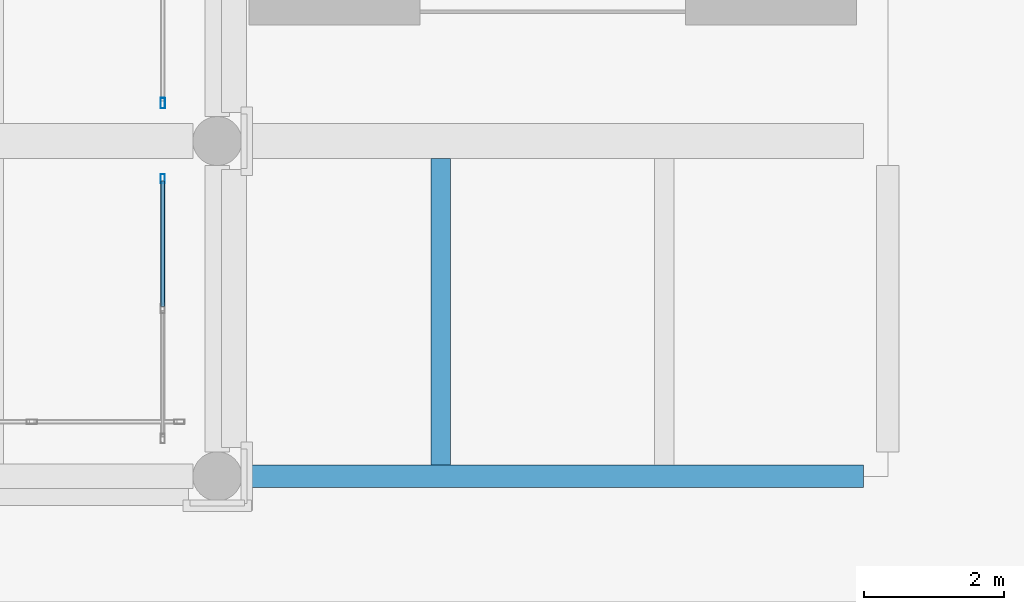
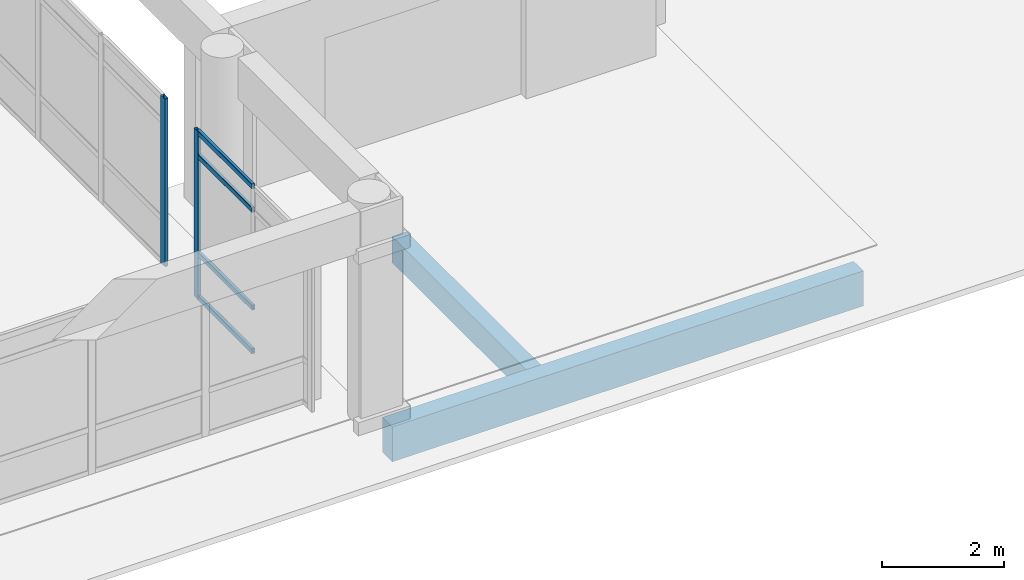
# One storey, part 37 of 196: 6 members, 2 beams, 2 elements without a shape of their own.
"""IFC4 building model written with IfcOpenShell, lengths in metres."""

from ifc_helpers import new_model, si_unit, direction, frame, origin, origin_2d, place, context, subcontext, project, spatial, rectangle, hollow_rectangle, extrude, material, layer, layer_set, material_profile, profile_set, type_object, element, aggregate, save


model = new_model("IFC4")

# Units and contexts
model_context = context("Model", 3, precision=1e-05, world=origin(), true_north=direction((0.0, 1.0)))
body_context = subcontext(model_context, "Body", "Model", "MODEL_VIEW")
ifc_project = project(units=[si_unit("LENGTHUNIT", "METRE"), si_unit("AREAUNIT", "SQUARE_METRE"), si_unit("VOLUMEUNIT", "CUBIC_METRE"), si_unit("PLANEANGLEUNIT", "RADIAN"), si_unit("MASSUNIT", "GRAM", prefix="KILO")], contexts=[model_context])

# Site, building, storey
site_placement = place(None, origin())
site = spatial("IfcSite", under=ifc_project, at=site_placement, CompositionType="ELEMENT")
building_placement = place(site_placement, origin())
building = spatial("IfcBuilding", under=site, at=building_placement, Name="Asteropetra Specialist Clinic", CompositionType="ELEMENT")
storey_placement = place(building_placement, origin())
storey = spatial("IfcBuildingStorey", under=building, at=storey_placement, Name="L00", CompositionType="ELEMENT", Elevation=0.0)

# Curtain wall, member
ifc_material_1 = material(Name="Aluminium and low-E glass", Category="aluminium")
ifc_layer = layer(ifc_material_1, 0.179931640625)
ifc_layer_set = layer_set([ifc_layer], Name="Aluminium and low-E glass")
curtain_wall_type = type_object("IfcCurtainWallType", Name="CW-SYS-10", PredefinedType="USERDEFINED", material=ifc_layer_set)
curtain_wall_1_placement = place(storey_placement, origin())
curtain_wall_1 = element("IfcCurtainWall", 1, at=curtain_wall_1_placement, inside=storey, type_object=curtain_wall_type, Name="Curtain Wall CW-128", ObjectType="STICK GLAZED COLONNADE", PredefinedType="USERDEFINED")
ifc_material_2 = material(Name="Aluminium 6063-T6", Category="aluminium")
ifc_material_profile_1 = material_profile(ifc_material_2, hollow_rectangle(XDim=0.06005859375, YDim=0.135009765625, WallThickness=0.00341796875, InnerFilletRadius=0.00341796875, OuterFilletRadius=0.007080078125, at=origin_2d()), Name="MUL 135x60x3.5")
ifc_profile_set_1 = profile_set([ifc_material_profile_1], Name="Aluminium 6063-T6")
member_type_1 = type_object("IfcMemberType", Name="CWM-135x60", PredefinedType="MULLION", material=ifc_profile_set_1)
member_1_placement = place(storey_placement, frame((56.820068359375, 4.260009765625, 0.0), z_axis=(0.0, 0.0, 1.0), x_axis=(-1.0, 0.0, 0.0)))
member_1 = element("IfcMember", 2, at=member_1_placement, type_object=member_type_1, Name="CW-128 mullion 3", PredefinedType="MULLION", context=body_context, shape_type="SweptSolid", body=[
    extrude(hollow_rectangle(XDim=0.06005859375, YDim=0.135009765625, WallThickness=0.00341796875, InnerFilletRadius=0.00341796875, OuterFilletRadius=0.007080078125, at=origin_2d()), origin(), (0.0, 0.0, 1.0), 3.35009765625),
])

curtain_wall_2_placement = place(storey_placement, origin())
curtain_wall_2 = element("IfcCurtainWall", 3, at=curtain_wall_2_placement, inside=storey, type_object=curtain_wall_type, Name="Curtain Wall CW-130", ObjectType="STICK GLAZED COLONNADE", PredefinedType="USERDEFINED")
ifc_material_3 = material(Name="Aluminium 6063-T6", Category="aluminium")
ifc_material_profile_2 = material_profile(ifc_material_3, hollow_rectangle(XDim=0.06494140625, YDim=0.14990234375, WallThickness=0.00390625, InnerFilletRadius=0.00390625, OuterFilletRadius=0.008056640625, at=origin_2d()), Name="MUL 150x65x4.0")
ifc_profile_set_2 = profile_set([ifc_material_profile_2], Name="Aluminium 6063-T6")
member_type_2 = type_object("IfcMemberType", Name="CWM-150x65", PredefinedType="MULLION", material=ifc_profile_set_2)
member_2_placement = place(storey_placement, frame((56.820068359375, 5.342529296875, 0.0), z_axis=(0.0, 0.0, 1.0), x_axis=(-1.0, 0.0, 0.0)))
member_2 = element("IfcMember", 4, at=member_2_placement, type_object=member_type_2, Name="CW-130 mullion 1", PredefinedType="MULLION", context=body_context, shape_type="SweptSolid", body=[
    extrude(hollow_rectangle(XDim=0.06494140625, YDim=0.14990234375, WallThickness=0.00390625, InnerFilletRadius=0.00390625, OuterFilletRadius=0.008056640625, at=origin_2d()), origin(), (0.0, 0.0, 1.0), 3.35009765625),
])
aggregate(curtain_wall_2, [member_2])

# Member
ifc_material_4 = material(Name="Aluminium 6063-T6", Category="aluminium")
ifc_material_profile_3 = material_profile(ifc_material_4, hollow_rectangle(XDim=0.06005859375, YDim=0.10009765625, WallThickness=0.00341796875, InnerFilletRadius=0.00341796875, OuterFilletRadius=0.007080078125, at=origin_2d()), Name="TRN 100x60x3.5")
ifc_profile_set_3 = profile_set([ifc_material_profile_3], Name="Aluminium 6063-T6")
member_type_3 = type_object("IfcMemberType", Name="CWT-100x60", PredefinedType="USERDEFINED", material=ifc_profile_set_3)
member_3_placement = place(storey_placement, frame((56.820068359375, 2.429931640625, 0.030029296875), z_axis=(0.0, 1.0, 0.0), x_axis=(-1.0, 0.0, 0.0)))
member_3 = element("IfcMember", 5, at=member_3_placement, type_object=member_type_3, Name="CW-128 transom 2.1", ObjectType="TRANSOM", PredefinedType="USERDEFINED", context=body_context, shape_type="SweptSolid", body=[
    extrude(hollow_rectangle(XDim=0.06005859375, YDim=0.10009765625, WallThickness=0.00341796875, InnerFilletRadius=0.00341796875, OuterFilletRadius=0.007080078125, at=origin_2d()), origin(), (0.0, 0.0, 1.0), 1.800048828125),
])

member_4_placement = place(storey_placement, frame((56.820068359375, 2.429931640625, 0.89990234375), z_axis=(0.0, 1.0, 0.0), x_axis=(-1.0, 0.0, 0.0)))
member_4 = element("IfcMember", 6, at=member_4_placement, type_object=member_type_3, Name="CW-128 transom 2.2", ObjectType="TRANSOM", PredefinedType="USERDEFINED", context=body_context, shape_type="SweptSolid", body=[
    extrude(hollow_rectangle(XDim=0.06005859375, YDim=0.10009765625, WallThickness=0.00341796875, InnerFilletRadius=0.00341796875, OuterFilletRadius=0.007080078125, at=origin_2d()), origin(), (0.0, 0.0, 1.0), 1.800048828125),
])

member_5_placement = place(storey_placement, frame((56.820068359375, 2.429931640625, 2.85009765625), z_axis=(0.0, 1.0, 0.0), x_axis=(-1.0, 0.0, 0.0)))
member_5 = element("IfcMember", 7, at=member_5_placement, type_object=member_type_3, Name="CW-128 transom 2.3", ObjectType="TRANSOM", PredefinedType="USERDEFINED", context=body_context, shape_type="SweptSolid", body=[
    extrude(hollow_rectangle(XDim=0.06005859375, YDim=0.10009765625, WallThickness=0.00341796875, InnerFilletRadius=0.00341796875, OuterFilletRadius=0.007080078125, at=origin_2d()), origin(), (0.0, 0.0, 1.0), 1.800048828125),
])

member_6_placement = place(storey_placement, frame((56.820068359375, 2.429931640625, 3.320068359375), z_axis=(0.0, 1.0, 0.0), x_axis=(-1.0, 0.0, 0.0)))
member_6 = element("IfcMember", 8, at=member_6_placement, type_object=member_type_3, Name="CW-128 transom 2.4", ObjectType="TRANSOM", PredefinedType="USERDEFINED", context=body_context, shape_type="SweptSolid", body=[
    extrude(hollow_rectangle(XDim=0.06005859375, YDim=0.10009765625, WallThickness=0.00341796875, InnerFilletRadius=0.00341796875, OuterFilletRadius=0.007080078125, at=origin_2d()), origin(), (0.0, 0.0, 1.0), 1.800048828125),
])

aggregate(curtain_wall_1, [member_1, member_3, member_4, member_5, member_6])

# Beams
ifc_material_5 = material(Name="Concrete C35/45", Category="concrete")
ifc_material_profile_4 = material_profile(ifc_material_5, rectangle(XDim=0.280029296875, YDim=0.52001953125, at=origin_2d()), Name="RCJ 280x520")
ifc_profile_set_4 = profile_set([ifc_material_profile_4], Name="Concrete C35/45")
beam_type_1 = type_object("IfcBeamType", Name="JST-RC280x520", PredefinedType="JOIST", material=ifc_profile_set_4)
beam_1_placement = place(storey_placement, frame((60.800048828125, 0.159912109375, -0.570068359375), z_axis=(0.0, 1.0, 0.0), x_axis=(-1.0, 0.0, 0.0)))
element("IfcBeam", 9, at=beam_1_placement, inside=storey, type_object=beam_type_1, Name="Joist JJST01-0106", PredefinedType="JOIST", context=body_context, shape_type="SweptSolid", body=[
    extrude(rectangle(XDim=0.280029296875, YDim=0.52001953125, at=origin_2d()), origin(), (0.0, 0.0, 1.0), 4.39013671875),
])
ifc_material_6 = material(Name="Concrete C35/45", Category="concrete")
ifc_material_profile_5 = material_profile(ifc_material_6, rectangle(XDim=0.320068359375, YDim=0.699951171875, at=origin_2d()), Name="RCS 320x700")
ifc_profile_set_5 = profile_set([ifc_material_profile_5], Name="Concrete C35/45")
beam_type_2 = type_object("IfcBeamType", Name="SPN-RC320x700", PredefinedType="SPANDREL", material=ifc_profile_set_5)
beam_2_placement = place(storey_placement, frame((57.949951171875, 0.0, -0.659912109375), z_axis=(1.0, 0.0, 0.0), x_axis=(0.0, 1.0, 0.0)))
element("IfcBeam", 10, at=beam_2_placement, inside=storey, type_object=beam_type_2, Name="Beam BSPN02-0103", PredefinedType="SPANDREL", context=body_context, shape_type="SweptSolid", body=[
    extrude(rectangle(XDim=0.320068359375, YDim=0.699951171875, at=origin_2d()), origin(), (0.0, 0.0, 1.0), 8.900146484375),
])

save(model, "model.ifc")
